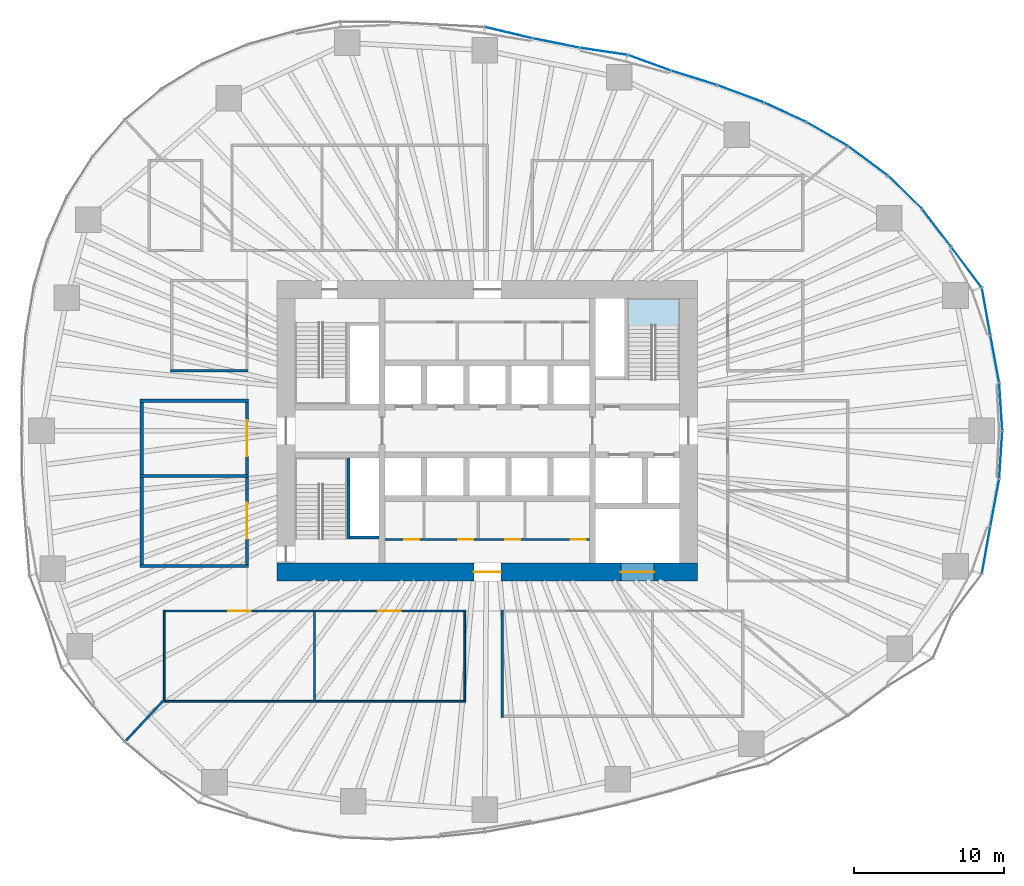
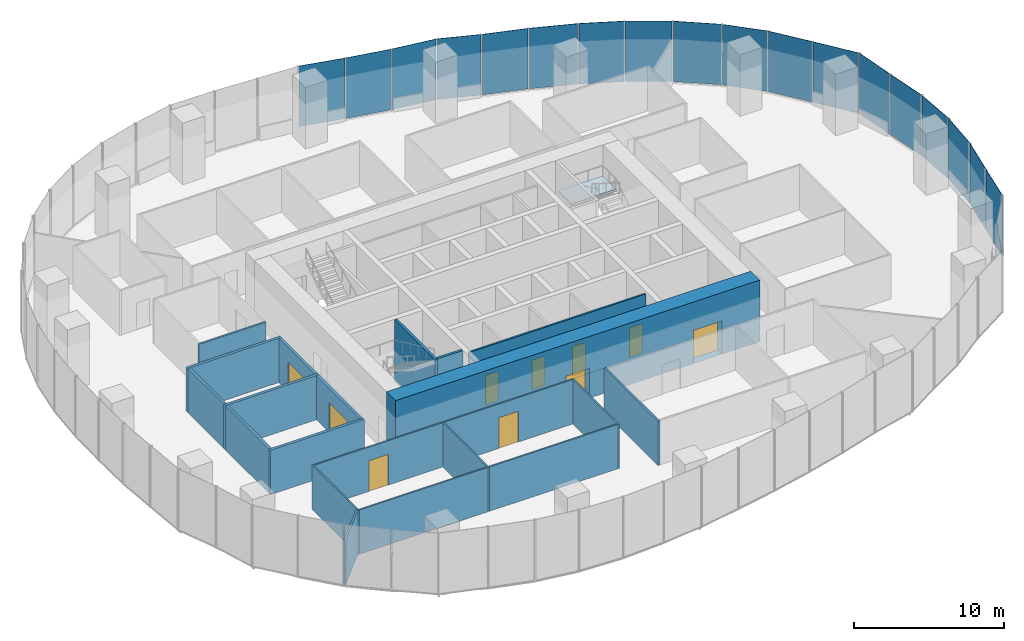
# One storey, part 9 of 20: 21 walls, 18 plates, 10 doors, 1 slab, 10 openings, 7 elements without a shape of their own.
"""IFC4 building model written with IfcOpenShell, lengths in metres."""

from ifc_helpers import new_model, si_unit, direction, frame, frame_2d, origin, origin_2d, place, context, subcontext, project, spatial, polyline, rectangle, outline, extrude, material, layer, layer_set, type_object, element, fill, aggregate, save


model = new_model("IFC4")

# Units and contexts
model_context = context("Model", 3, precision=1e-05, world=origin(), true_north=direction((0.0, 1.0)))
body_context = subcontext(model_context, "Body", "Model", "MODEL_VIEW")
ifc_project = project(units=[si_unit("LENGTHUNIT", "METRE"), si_unit("AREAUNIT", "SQUARE_METRE"), si_unit("VOLUMEUNIT", "CUBIC_METRE"), si_unit("PLANEANGLEUNIT", "RADIAN"), si_unit("MASSUNIT", "GRAM", prefix="KILO")], contexts=[model_context])

# Site, building, storey
site_placement = place(None, origin())
site = spatial("IfcSite", under=ifc_project, at=site_placement, CompositionType="ELEMENT")
building_placement = place(site_placement, origin())
building = spatial("IfcBuilding", under=site, at=building_placement, Name="Ghaith Harvest Tower", CompositionType="ELEMENT")
storey_placement = place(building_placement, frame((0.0, 0.0, 80.0)))
storey = spatial("IfcBuildingStorey", under=building, at=storey_placement, Name="L16", CompositionType="ELEMENT", Elevation=80.0)

# Curtain wall, plates
ifc_material_1 = material(Name="Black anodised aluminium and fritted glass", Category="aluminium")
curtain_wall_type = type_object("IfcCurtainWallType", Name="CW-F CURTAIN WALL", PredefinedType="NOTDEFINED", material=ifc_material_1)
curtain_wall_1_placement = place(storey_placement, origin())
curtain_wall_1 = element("IfcCurtainWall", 1, at=curtain_wall_1_placement, inside=storey, type_object=curtain_wall_type, Name="Curtain wall CW-F bay 01 L16", PredefinedType="NOTDEFINED")
ifc_material_2 = material(Name="Glass, high-transmission fritted double glazed unit", Category="glass")
ifc_layer_1 = layer(ifc_material_2, 0.028076171875)
ifc_layer_set_1 = layer_set([ifc_layer_1], Name="CW-F VISION PANEL")
plate_type = type_object("IfcPlateType", Name="CW-F VISION PANEL", PredefinedType="CURTAIN_PANEL", material=ifc_layer_set_1)
plate_1_placement = place(storey_placement, frame((34.181396484375, 1.602783203125, 0.080078125), z_axis=(0.0, 0.0, 1.0), x_axis=(-0.064445645786, 0.997921218704, 0.0)))
plate_1 = element("IfcPlate", 2, at=plate_1_placement, type_object=plate_type, Name="CW-F panel 1 bay 01 L16", PredefinedType="CURTAIN_PANEL", context=body_context, shape_type="SweptSolid", body=[
    extrude(rectangle(XDim=3.132080078125, YDim=0.028076171875, at=origin_2d()), origin(), (0.0, 0.0, 1.0), 4.919921875),
])
plate_2_placement = place(storey_placement, frame((33.78369140625, 4.78076171875, 0.080078125), z_axis=(0.0, 0.0, 1.0), x_axis=(-0.183569249502, 0.983006780565, 0.0)))
plate_2 = element("IfcPlate", 3, at=plate_2_placement, type_object=plate_type, Name="CW-F panel 2 bay 01 L16", PredefinedType="CURTAIN_PANEL", context=body_context, shape_type="SweptSolid", body=[
    extrude(rectangle(XDim=3.12548828125, YDim=0.028076171875, at=origin_2d()), origin(), (0.0, 0.0, 1.0), 4.919921875),
])
plate_3_placement = place(storey_placement, frame((33.20654296875, 7.93603515625, 0.080078125), z_axis=(0.0, 0.0, 1.0), x_axis=(-0.176319663586, 0.984332960046, 0.0)))
plate_3 = element("IfcPlate", 4, at=plate_3_placement, type_object=plate_type, Name="CW-F panel 3 bay 01 L16", PredefinedType="CURTAIN_PANEL", context=body_context, shape_type="SweptSolid", body=[
    extrude(rectangle(XDim=3.129638671875, YDim=0.028076171875, at=origin_2d()), origin(), (0.0, 0.0, 1.0), 4.919921875),
])
aggregate(curtain_wall_1, [plate_1, plate_2, plate_3])

curtain_wall_2_placement = place(storey_placement, origin())
curtain_wall_2 = element("IfcCurtainWall", 5, at=curtain_wall_2_placement, inside=storey, type_object=curtain_wall_type, Name="Curtain wall CW-F bay 02 L16", PredefinedType="NOTDEFINED")
plate_4_placement = place(storey_placement, frame((31.91015625, 10.865234375, 0.080078125), z_axis=(0.0, 0.0, 1.0), x_axis=(-0.600454091192, 0.799659230154, 0.0)))
plate_4 = element("IfcPlate", 6, at=plate_4_placement, type_object=plate_type, Name="CW-F panel 1 bay 02 L16", PredefinedType="CURTAIN_PANEL", context=body_context, shape_type="SweptSolid", body=[
    extrude(rectangle(XDim=3.295654296875, YDim=0.028076171875, at=origin_2d()), origin(), (0.0, 0.0, 1.0), 4.919921875),
])
plate_5_placement = place(storey_placement, frame((29.921875, 13.4892578125, 0.080078125), z_axis=(0.0, 0.0, 1.0), x_axis=(-0.607611877494, 0.794234100457, 0.0)))
plate_5 = element("IfcPlate", 7, at=plate_5_placement, type_object=plate_type, Name="CW-F panel 2 bay 02 L16", PredefinedType="CURTAIN_PANEL", context=body_context, shape_type="SweptSolid", body=[
    extrude(rectangle(XDim=3.128662109375, YDim=0.028076171875, at=origin_2d()), origin(), (0.0, 0.0, 1.0), 4.919921875),
])
plate_6_placement = place(storey_placement, frame((27.810546875, 15.869384765625, 0.080078125), z_axis=(0.0, 0.0, 1.0), x_axis=(-0.716691335472, 0.69739051446, 0.0)))
plate_6 = element("IfcPlate", 8, at=plate_6_placement, type_object=plate_type, Name="CW-F panel 3 bay 02 L16", PredefinedType="CURTAIN_PANEL", context=body_context, shape_type="SweptSolid", body=[
    extrude(rectangle(XDim=3.092041015625, YDim=0.028076171875, at=origin_2d()), origin(), (0.0, 0.0, 1.0), 4.919921875),
])
aggregate(curtain_wall_2, [plate_4, plate_5, plate_6])

curtain_wall_3_placement = place(storey_placement, origin())
curtain_wall_3 = element("IfcCurtainWall", 9, at=curtain_wall_3_placement, inside=storey, type_object=curtain_wall_type, Name="Curtain wall CW-F bay 03 L16", PredefinedType="NOTDEFINED")
plate_7_placement = place(storey_placement, frame((25.34619140625, 17.96142578125, 0.080078125), z_axis=(0.0, 0.0, 1.0), x_axis=(-0.802866788578, 0.596158468697, 0.0)))
plate_7 = element("IfcPlate", 10, at=plate_7_placement, type_object=plate_type, Name="CW-F panel 1 bay 03 L16", PredefinedType="CURTAIN_PANEL", context=body_context, shape_type="SweptSolid", body=[
    extrude(rectangle(XDim=3.2275390625, YDim=0.028076171875, at=origin_2d()), origin(), (0.0, 0.0, 1.0), 4.919921875),
])
plate_8_placement = place(storey_placement, frame((22.626953125, 19.750244140625, 0.080078125), z_axis=(0.0, 0.0, 1.0), x_axis=(-0.866159208358, 0.499768172033, 0.0)))
plate_8 = element("IfcPlate", 11, at=plate_8_placement, type_object=plate_type, Name="CW-F panel 2 bay 03 L16", PredefinedType="CURTAIN_PANEL", context=body_context, shape_type="SweptSolid", body=[
    extrude(rectangle(XDim=3.1328125, YDim=0.028076171875, at=origin_2d()), origin(), (0.0, 0.0, 1.0), 4.919921875),
])
plate_9_placement = place(storey_placement, frame((19.8291015625, 21.19970703125, 0.080078125), z_axis=(0.0, 0.0, 1.0), x_axis=(-0.908529586897, 0.417820523351, 0.0)))
plate_9 = element("IfcPlate", 12, at=plate_9_placement, type_object=plate_type, Name="CW-F panel 3 bay 03 L16", PredefinedType="CURTAIN_PANEL", context=body_context, shape_type="SweptSolid", body=[
    extrude(rectangle(XDim=3.01611328125, YDim=0.028076171875, at=origin_2d()), origin(), (0.0, 0.0, 1.0), 4.919921875),
])
aggregate(curtain_wall_3, [plate_7, plate_8, plate_9])

curtain_wall_4_placement = place(storey_placement, origin())
curtain_wall_4 = element("IfcCurtainWall", 13, at=curtain_wall_4_placement, inside=storey, type_object=curtain_wall_type, Name="Curtain wall CW-F bay 04 L16", PredefinedType="NOTDEFINED")
plate_10_placement = place(storey_placement, frame((16.85498046875, 22.431396484375, 0.080078125), z_axis=(0.0, 0.0, 1.0), x_axis=(-0.936926487964, 0.349526474178, 0.0)))
plate_10 = element("IfcPlate", 14, at=plate_10_placement, type_object=plate_type, Name="CW-F panel 1 bay 04 L16", PredefinedType="CURTAIN_PANEL", context=body_context, shape_type="SweptSolid", body=[
    extrude(rectangle(XDim=3.26611328125, YDim=0.028076171875, at=origin_2d()), origin(), (0.0, 0.0, 1.0), 4.919921875),
])
plate_11_placement = place(storey_placement, frame((13.760986328125, 23.490234375, 0.080078125), z_axis=(0.0, 0.0, 1.0), x_axis=(-0.954988265421, 0.296643578911, 0.0)))
plate_11 = element("IfcPlate", 15, at=plate_11_placement, type_object=plate_type, Name="CW-F panel 2 bay 04 L16", PredefinedType="CURTAIN_PANEL", context=body_context, shape_type="SweptSolid", body=[
    extrude(rectangle(XDim=3.1171875, YDim=0.028076171875, at=origin_2d()), origin(), (0.0, 0.0, 1.0), 4.919921875),
])
plate_12_placement = place(storey_placement, frame((10.793212890625, 24.490234375, 0.080078125), z_axis=(0.0, 0.0, 1.0), x_axis=(-0.939438435482, 0.342717705902, 0.0)))
plate_12 = element("IfcPlate", 16, at=plate_12_placement, type_object=plate_type, Name="CW-F panel 3 bay 04 L16", PredefinedType="CURTAIN_PANEL", context=body_context, shape_type="SweptSolid", body=[
    extrude(rectangle(XDim=2.98828125, YDim=0.028076171875, at=origin_2d()), origin(), (0.0, 0.0, 1.0), 4.919921875),
])
aggregate(curtain_wall_4, [plate_10, plate_11, plate_12])

curtain_wall_5_placement = place(storey_placement, origin())
curtain_wall_5 = element("IfcCurtainWall", 17, at=curtain_wall_5_placement, inside=storey, type_object=curtain_wall_type, Name="Curtain wall CW-F bay 05 L16", PredefinedType="NOTDEFINED")
plate_13_placement = place(storey_placement, frame((7.744384765625, 25.255615234375, 0.080078125), z_axis=(0.0, 0.0, 1.0), x_axis=(-0.989074249382, 0.147418211935, 0.0)))
plate_13 = element("IfcPlate", 18, at=plate_13_placement, type_object=plate_type, Name="CW-F panel 1 bay 05 L16", PredefinedType="CURTAIN_PANEL", context=body_context, shape_type="SweptSolid", body=[
    extrude(rectangle(XDim=3.17041015625, YDim=0.028076171875, at=origin_2d()), origin(), (0.0, 0.0, 1.0), 4.919921875),
])
plate_14_placement = place(storey_placement, frame((4.5732421875, 25.809326171875, 0.080078125), z_axis=(0.0, 0.0, 1.0), x_axis=(-0.980432348069, 0.196856320344, 0.0)))
plate_14 = element("IfcPlate", 19, at=plate_14_placement, type_object=plate_type, Name="CW-F panel 2 bay 05 L16", PredefinedType="CURTAIN_PANEL", context=body_context, shape_type="SweptSolid", body=[
    extrude(rectangle(XDim=3.1103515625, YDim=0.028076171875, at=origin_2d()), origin(), (0.0, 0.0, 1.0), 4.919921875),
])
plate_15_placement = place(storey_placement, frame((1.41259765625, 26.500244140625, 0.080078125), z_axis=(0.0, 0.0, 1.0), x_axis=(-0.97324595378, 0.229765779545, 0.0)))
plate_15 = element("IfcPlate", 20, at=plate_15_placement, type_object=plate_type, Name="CW-F panel 3 bay 05 L16", PredefinedType="CURTAIN_PANEL", context=body_context, shape_type="SweptSolid", body=[
    extrude(rectangle(XDim=3.200927734375, YDim=0.028076171875, at=origin_2d()), origin(), (0.0, 0.0, 1.0), 4.919921875),
])
aggregate(curtain_wall_5, [plate_13, plate_14, plate_15])

curtain_wall_6_placement = place(storey_placement, origin())
curtain_wall_6 = element("IfcCurtainWall", 21, at=curtain_wall_6_placement, inside=storey, type_object=curtain_wall_type, Name="Curtain wall CW-F bay 20 L16", PredefinedType="NOTDEFINED")
plate_16_placement = place(storey_placement, frame((33.20654296875, -7.93603515625, 0.080078125), z_axis=(0.0, 0.0, 1.0), x_axis=(0.176319663878, 0.984332959994, 0.0)))
plate_16 = element("IfcPlate", 22, at=plate_16_placement, type_object=plate_type, Name="CW-F panel 1 bay 20 L16", PredefinedType="CURTAIN_PANEL", context=body_context, shape_type="SweptSolid", body=[
    extrude(rectangle(XDim=3.129638671875, YDim=0.028076171875, at=origin_2d()), origin(), (0.0, 0.0, 1.0), 4.919921875),
])
plate_17_placement = place(storey_placement, frame((33.78369140625, -4.78076171875, 0.080078125), z_axis=(0.0, 0.0, 1.0), x_axis=(0.183569249777, 0.983006780514, 0.0)))
plate_17 = element("IfcPlate", 23, at=plate_17_placement, type_object=plate_type, Name="CW-F panel 2 bay 20 L16", PredefinedType="CURTAIN_PANEL", context=body_context, shape_type="SweptSolid", body=[
    extrude(rectangle(XDim=3.12548828125, YDim=0.028076171875, at=origin_2d()), origin(), (0.0, 0.0, 1.0), 4.919921875),
])
plate_18_placement = place(storey_placement, frame((34.181396484375, -1.602783203125, 0.080078125), z_axis=(0.0, 0.0, 1.0), x_axis=(0.064445645891, 0.997921218697, 0.0)))
plate_18 = element("IfcPlate", 24, at=plate_18_placement, type_object=plate_type, Name="CW-F panel 3 bay 20 L16", PredefinedType="CURTAIN_PANEL", context=body_context, shape_type="SweptSolid", body=[
    extrude(rectangle(XDim=3.132080078125, YDim=0.028076171875, at=origin_2d()), origin(), (0.0, 0.0, 1.0), 4.919921875),
])
aggregate(curtain_wall_6, [plate_16, plate_17, plate_18])

# Stair, slab
ifc_material_3 = material(Name="Concrete C40/50, precast", Category="concrete")
stair_type = type_object("IfcStairType", Name="CORE STAIR 28R", PredefinedType="HALF_TURN_STAIR", material=ifc_material_3)
stair_placement = place(storey_placement, origin())
stair = element("IfcStair", 25, at=stair_placement, inside=storey, type_object=stair_type, Name="Stair ST2 L16", PredefinedType="HALF_TURN_STAIR")
ifc_material_4 = material(Name="Concrete C40/50, precast", Category="concrete")
ifc_layer_2 = layer(ifc_material_4, 0.179931640625)
ifc_layer_set_2 = layer_set([ifc_layer_2], Name="STAIR LANDING 180")
slab_type = type_object("IfcSlabType", Name="STAIR LANDING 180", PredefinedType="LANDING", material=ifc_layer_set_2)
slab_placement = place(storey_placement, frame((0.0, 0.0, 2.320068359375)))
slab = element("IfcSlab", 26, at=slab_placement, type_object=slab_type, Name="ST2 landing 1", PredefinedType="LANDING", context=body_context, shape_type="SweptSolid", body=[
    extrude(outline(polyline([(12.800048828125, 7.02001953125), (12.800048828125, 8.800048828125), (9.35009765625, 8.800048828125), (9.35009765625, 7.02001953125), (12.800048828125, 7.02001953125)])), origin(), (0.0, 0.0, 1.0), 0.179931640625),
])
aggregate(stair, [slab])

# Walls
ifc_material_5 = material(Name="Concrete blockwork, 1-hour", Category="masonry")
ifc_layer_3 = layer(ifc_material_5, 0.215087890625)
ifc_layer_set_3 = layer_set([ifc_layer_3], Name="BLOCKWORK WALL 215")
wall_type_1 = type_object("IfcWallType", Name="BLOCKWORK WALL 215", PredefinedType="PARTITIONING", material=ifc_layer_set_3)
for number, where, z_axis, x_axis, name in (
    (27, (-15.892578125, -9.0, 0.0), (0.0, 0.0, 1.0), (-1.0, 0.0, 0.0), "Partition L16 row W6 cross wall 1"),
    (28, (-15.892578125, -3.0, 0.0), (0.0, 0.0, 1.0), (-1.0, 0.0, 0.0), "Partition L16 row W6 cross wall 2"),
    (29, (-15.892578125, 2.0, 0.0), (0.0, 0.0, 1.0), (-1.0, 0.0, 0.0), "Partition L16 row W6 cross wall 3"),
):
    element("IfcWall", number, at=place(storey_placement, frame(where, z_axis=z_axis, x_axis=x_axis)), inside=storey, type_object=wall_type_1, Name=name, PredefinedType="PARTITIONING", context=body_context, shape_type="SweptSolid", body=[
        extrude(rectangle(XDim=7.21484375, YDim=0.215087890625, at=frame_2d((3.607421875, 0.0))), origin(), (0.0, 0.0, 1.0), 3.60009765625),
    ])

# Wall, opening, door
wall_1_placement = place(storey_placement, frame((-16.0, -8.892578125, 0.0), z_axis=(0.0, 0.0, 1.0), x_axis=(0.0, 1.0, 0.0)))
wall_1 = element("IfcWall", 30, at=wall_1_placement, inside=storey, type_object=wall_type_1, Name="Partition L16-11", PredefinedType="PARTITIONING", context=body_context, shape_type="SweptSolid", body=[
    extrude(rectangle(XDim=5.78515625, YDim=0.215087890625, at=frame_2d((2.892578125, 0.0))), origin(), (0.0, 0.0, 1.0), 3.60009765625),
])
opening_1_placement = place(wall_1_placement, frame((1.6923828125, 0.0, 0.0)))
opening_1 = element("IfcOpeningElement", 31, at=opening_1_placement, cuts=wall_1, Name="Opening 16-035", PredefinedType="OPENING", context=body_context, shape_type="SweptSolid", body=[
    extrude(rectangle(XDim=2.39990234375, YDim=2.39990234375, at=frame_2d((1.199951171875, 1.199951171875))), frame((0.0, 0.11767578125, 0.0), z_axis=(0.0, -1.0, 0.0), x_axis=(1.0, 0.0, 0.0)), (0.0, 0.0, 1.0), 0.235107421875),
])
ifc_material_6 = material(Name="Timber door", Category="wood")
door_type_1 = type_object("IfcDoorType", Name="D10 PLANT PAIR 2400x2400", OperationType="DOUBLE_DOOR_SINGLE_SWING", PredefinedType="DOOR", material=ifc_material_6)
door_1_placement = place(opening_1_placement, origin())
door_1 = element("IfcDoor", 32, at=door_1_placement, inside=storey, type_object=door_type_1, Name="Nutrient tank room door", OperationType="DOUBLE_DOOR_SINGLE_SWING", OverallHeight=2.39990234375, OverallWidth=2.39990234375, PredefinedType="DOOR", context=body_context, shape_type="SweptSolid", body=[
    extrude(rectangle(XDim=2.39990234375, YDim=2.39990234375, at=frame_2d((1.199951171875, 1.199951171875))), frame((0.0, 0.02490234375, 0.0), z_axis=(0.0, -1.0, 0.0), x_axis=(1.0, 0.0, 0.0)), (0.0, 0.0, 1.0), 0.050048828125),
])
fill(opening_1, door_1)

# Wall
wall_2_placement = place(storey_placement, frame((-23.0, -8.892578125, 0.0), z_axis=(0.0, 0.0, 1.0), x_axis=(0.0, 1.0, 0.0)))
element("IfcWall", 33, at=wall_2_placement, inside=storey, type_object=wall_type_1, Name="Partition L16-11", PredefinedType="PARTITIONING", context=body_context, shape_type="SweptSolid", body=[
    extrude(rectangle(XDim=5.78515625, YDim=0.215087890625, at=frame_2d((2.892578125, 0.0))), origin(), (0.0, 0.0, 1.0), 3.60009765625),
])

# Wall, opening, door
wall_3_placement = place(storey_placement, frame((-16.0, -2.892578125, 0.0), z_axis=(0.0, 0.0, 1.0), x_axis=(0.0, 1.0, 0.0)))
wall_3 = element("IfcWall", 34, at=wall_3_placement, inside=storey, type_object=wall_type_1, Name="Partition L16-12", PredefinedType="PARTITIONING", context=body_context, shape_type="SweptSolid", body=[
    extrude(rectangle(XDim=4.78515625, YDim=0.215087890625, at=frame_2d((2.392578125, 0.0))), origin(), (0.0, 0.0, 1.0), 3.60009765625),
])
opening_2_placement = place(wall_3_placement, frame((1.1923828125, 0.0, 0.0)))
opening_2 = element("IfcOpeningElement", 35, at=opening_2_placement, cuts=wall_3, Name="Opening 16-036", PredefinedType="OPENING", context=body_context, shape_type="SweptSolid", body=[
    extrude(rectangle(XDim=2.39990234375, YDim=2.39990234375, at=frame_2d((1.199951171875, 1.199951171875))), frame((0.0, 0.11767578125, 0.0), z_axis=(0.0, -1.0, 0.0), x_axis=(1.0, 0.0, 0.0)), (0.0, 0.0, 1.0), 0.235107421875),
])
door_2_placement = place(opening_2_placement, origin())
door_2 = element("IfcDoor", 36, at=door_2_placement, inside=storey, type_object=door_type_1, Name="Pump room door", OperationType="DOUBLE_DOOR_SINGLE_SWING", OverallHeight=2.39990234375, OverallWidth=2.39990234375, PredefinedType="DOOR", context=body_context, shape_type="SweptSolid", body=[
    extrude(rectangle(XDim=2.39990234375, YDim=2.39990234375, at=frame_2d((1.199951171875, 1.199951171875))), frame((0.0, 0.02490234375, 0.0), z_axis=(0.0, -1.0, 0.0), x_axis=(1.0, 0.0, 0.0)), (0.0, 0.0, 1.0), 0.050048828125),
])
fill(opening_2, door_2)

# Wall
wall_4_placement = place(storey_placement, frame((-23.0, -2.892578125, 0.0), z_axis=(0.0, 0.0, 1.0), x_axis=(0.0, 1.0, 0.0)))
element("IfcWall", 37, at=wall_4_placement, inside=storey, type_object=wall_type_1, Name="Partition L16-12", PredefinedType="PARTITIONING", context=body_context, shape_type="SweptSolid", body=[
    extrude(rectangle(XDim=4.78515625, YDim=0.215087890625, at=frame_2d((2.392578125, 0.0))), origin(), (0.0, 0.0, 1.0), 3.60009765625),
])

# Wall, openings, doors
ifc_material_7 = material(Name="Concrete blockwork, fair-faced", Category="masonry")
ifc_layer_4 = layer(ifc_material_7, 0.139892578125)
ifc_layer_set_4 = layer_set([ifc_layer_4], Name="CORE PARTITION 140")
wall_type_2 = type_object("IfcWallType", Name="CORE PARTITION 140", PredefinedType="PARTITIONING", material=ifc_layer_set_4)
wall_5_placement = place(storey_placement, frame((-6.800048828125, -7.22998046875, 0.0), z_axis=(0.0, 0.0, 1.0), x_axis=(1.0, 0.0, 0.0)))
wall_5 = element("IfcWall", 38, at=wall_5_placement, inside=storey, type_object=wall_type_2, Name="Core partition L16", PredefinedType="PARTITIONING", context=body_context, shape_type="SweptSolid", body=[
    extrude(rectangle(XDim=13.60009765625, YDim=0.139892578125, at=frame_2d((6.800048828125, 0.0))), origin(), (0.0, 0.0, 1.0), 4.75),
])
opening_3_placement = place(wall_5_placement, frame((1.280029296875, 0.0, 0.0)))
opening_3 = element("IfcOpeningElement", 39, at=opening_3_placement, cuts=wall_5, Name="Opening 16-012", PredefinedType="OPENING", context=body_context, shape_type="SweptSolid", body=[
    extrude(rectangle(XDim=1.0, YDim=2.39990234375, at=frame_2d((0.5, 1.199951171875))), frame((0.0, 0.080078125, 0.0), z_axis=(0.0, -1.0, 0.0), x_axis=(1.0, 0.0, 0.0)), (0.0, 0.0, 1.0), 0.159912109375),
])
opening_4_placement = place(wall_5_placement, frame((4.8798828125, 0.0, 0.0)))
opening_4 = element("IfcOpeningElement", 40, at=opening_4_placement, cuts=wall_5, Name="Opening 16-013", PredefinedType="OPENING", context=body_context, shape_type="SweptSolid", body=[
    extrude(rectangle(XDim=1.0, YDim=2.39990234375, at=frame_2d((0.5, 1.199951171875))), frame((0.0, 0.080078125, 0.0), z_axis=(0.0, -1.0, 0.0), x_axis=(1.0, 0.0, 0.0)), (0.0, 0.0, 1.0), 0.159912109375),
])
opening_5_placement = place(wall_5_placement, frame((7.97998046875, 0.0, 0.0)))
opening_5 = element("IfcOpeningElement", 41, at=opening_5_placement, cuts=wall_5, Name="Opening 16-014", PredefinedType="OPENING", context=body_context, shape_type="SweptSolid", body=[
    extrude(rectangle(XDim=1.0, YDim=2.39990234375, at=frame_2d((0.5, 1.199951171875))), frame((0.0, 0.080078125, 0.0), z_axis=(0.0, -1.0, 0.0), x_axis=(1.0, 0.0, 0.0)), (0.0, 0.0, 1.0), 0.159912109375),
])
opening_6_placement = place(wall_5_placement, frame((12.35009765625, 0.0, 0.0)))
opening_6 = element("IfcOpeningElement", 42, at=opening_6_placement, cuts=wall_5, Name="Opening 16-015", PredefinedType="OPENING", context=body_context, shape_type="SweptSolid", body=[
    extrude(rectangle(XDim=1.0, YDim=2.39990234375, at=frame_2d((0.5, 1.199951171875))), frame((0.0, 0.080078125, 0.0), z_axis=(0.0, -1.0, 0.0), x_axis=(1.0, 0.0, 0.0)), (0.0, 0.0, 1.0), 0.159912109375),
])
ifc_material_8 = material(Name="Steel fire door", Category="steel")
door_type_2 = type_object("IfcDoorType", Name="D3 FD90 1000x2400", OperationType="SINGLE_SWING_LEFT", PredefinedType="DOOR", material=ifc_material_8)
door_3_placement = place(opening_3_placement, origin())
door_3 = element("IfcDoor", 43, at=door_3_placement, inside=storey, type_object=door_type_2, Name="Security room door", OperationType="SINGLE_SWING_LEFT", OverallHeight=2.39990234375, OverallWidth=1.0, PredefinedType="DOOR", context=body_context, shape_type="SweptSolid", body=[
    extrude(rectangle(XDim=1.0, YDim=2.39990234375, at=frame_2d((0.5, 1.199951171875))), frame((0.0, 0.02490234375, 0.0), z_axis=(0.0, -1.0, 0.0), x_axis=(1.0, 0.0, 0.0)), (0.0, 0.0, 1.0), 0.050048828125),
])
fill(opening_3, door_3)
door_4_placement = place(opening_4_placement, origin())
door_4 = element("IfcDoor", 44, at=door_4_placement, inside=storey, type_object=door_type_2, Name="Electrical room door", OperationType="SINGLE_SWING_LEFT", OverallHeight=2.39990234375, OverallWidth=1.0, PredefinedType="DOOR", context=body_context, shape_type="SweptSolid", body=[
    extrude(rectangle(XDim=1.0, YDim=2.39990234375, at=frame_2d((0.5, 1.199951171875))), frame((0.0, 0.02490234375, 0.0), z_axis=(0.0, -1.0, 0.0), x_axis=(1.0, 0.0, 0.0)), (0.0, 0.0, 1.0), 0.050048828125),
])
fill(opening_4, door_4)
door_5_placement = place(opening_5_placement, origin())
door_5 = element("IfcDoor", 45, at=door_5_placement, inside=storey, type_object=door_type_2, Name="Communications equipment room door", OperationType="SINGLE_SWING_RIGHT", OverallHeight=2.39990234375, OverallWidth=1.0, PredefinedType="DOOR", context=body_context, shape_type="SweptSolid", body=[
    extrude(rectangle(XDim=1.0, YDim=2.39990234375, at=frame_2d((0.5, 1.199951171875))), frame((0.0, 0.02490234375, 0.0), z_axis=(0.0, -1.0, 0.0), x_axis=(1.0, 0.0, 0.0)), (0.0, 0.0, 1.0), 0.050048828125),
])
fill(opening_5, door_5)
door_6_placement = place(opening_6_placement, origin())
door_6 = element("IfcDoor", 46, at=door_6_placement, inside=storey, type_object=door_type_2, Name="Riser room door", OperationType="SINGLE_SWING_RIGHT", OverallHeight=2.39990234375, OverallWidth=1.0, PredefinedType="DOOR", context=body_context, shape_type="SweptSolid", body=[
    extrude(rectangle(XDim=1.0, YDim=2.39990234375, at=frame_2d((0.5, 1.199951171875))), frame((0.0, 0.02490234375, 0.0), z_axis=(0.0, -1.0, 0.0), x_axis=(1.0, 0.0, 0.0)), (0.0, 0.0, 1.0), 0.050048828125),
])
fill(opening_6, door_6)

ifc_material_9 = material(Name="Concrete C70/85", Category="concrete")
ifc_layer_5 = layer(ifc_material_9, 1.199951171875)
ifc_layer_set_5 = layer_set([ifc_layer_5], Name="CORE WALL CW1200")
wall_type_3 = type_object("IfcWallType", Name="CORE WALL CW1200", PredefinedType="SHEAR", material=ifc_layer_set_5)
wall_6_placement = place(storey_placement, frame((-14.0, -9.39990234375, 0.0), z_axis=(0.0, 0.0, 1.0), x_axis=(1.0, 0.0, 0.0)))
wall_6 = element("IfcWall", 47, at=wall_6_placement, inside=storey, type_object=wall_type_3, Name="Core wall S L16", PredefinedType="SHEAR", context=body_context, shape_type="SweptSolid", body=[
    extrude(rectangle(XDim=28.0, YDim=1.199951171875, at=frame_2d((14.0, 0.0))), origin(), (0.0, 0.0, 1.0), 5.0),
])
opening_7_placement = place(wall_6_placement, frame((13.10009765625, 0.0, 0.0)))
opening_7 = element("IfcOpeningElement", 48, at=opening_7_placement, cuts=wall_6, Name="Opening 16-017", PredefinedType="OPENING", context=body_context, shape_type="SweptSolid", body=[
    extrude(rectangle(XDim=1.800048828125, YDim=2.39990234375, at=frame_2d((0.89990234375, 1.199951171875))), frame((0.0, 0.60986328125, 0.0), z_axis=(0.0, -1.0, 0.0), x_axis=(1.0, 0.0, 0.0)), (0.0, 0.0, 1.0), 1.219970703125),
])
opening_8_placement = place(wall_6_placement, frame((22.89990234375, 0.0, 0.0)))
opening_8 = element("IfcOpeningElement", 49, at=opening_8_placement, cuts=wall_6, Name="Opening 16-024", PredefinedType="OPENING", context=body_context, shape_type="SweptSolid", body=[
    extrude(rectangle(XDim=2.199951171875, YDim=2.699951171875, at=frame_2d((1.10009765625, 1.35009765625))), frame((0.0, 0.60986328125, 0.0), z_axis=(0.0, -1.0, 0.0), x_axis=(1.0, 0.0, 0.0)), (0.0, 0.0, 1.0), 1.219970703125),
])
ifc_material_10 = material(Name="Steel fire door", Category="steel")
door_type_3 = type_object("IfcDoorType", Name="D4 FD90 PAIR 1800x2400", OperationType="DOUBLE_DOOR_SINGLE_SWING", PredefinedType="DOOR", material=ifc_material_10)
door_7_placement = place(opening_7_placement, origin())
door_7 = element("IfcDoor", 50, at=door_7_placement, inside=storey, type_object=door_type_3, Name="Core service corridor doors", OperationType="DOUBLE_DOOR_SINGLE_SWING", OverallHeight=2.39990234375, OverallWidth=1.800048828125, PredefinedType="DOOR", context=body_context, shape_type="SweptSolid", body=[
    extrude(rectangle(XDim=1.800048828125, YDim=2.39990234375, at=frame_2d((0.89990234375, 1.199951171875))), frame((0.0, 0.02490234375, 0.0), z_axis=(0.0, -1.0, 0.0), x_axis=(1.0, 0.0, 0.0)), (0.0, 0.0, 1.0), 0.050048828125),
])
fill(opening_7, door_7)
ifc_material_11 = material(Name="Steel fire door", Category="steel")
door_type_4 = type_object("IfcDoorType", Name="LD3 LANDING 2200x2700", OperationType="DOUBLE_DOOR_SLIDING", PredefinedType="DOOR", material=ifc_material_11)
door_8_placement = place(opening_8_placement, origin())
door_8 = element("IfcDoor", 51, at=door_8_placement, inside=storey, type_object=door_type_4, Name="Landing door, goods lift GL1", OperationType="DOUBLE_DOOR_SLIDING", OverallHeight=2.699951171875, OverallWidth=2.199951171875, PredefinedType="DOOR", context=body_context, shape_type="SweptSolid", body=[
    extrude(rectangle(XDim=2.199951171875, YDim=2.699951171875, at=frame_2d((1.10009765625, 1.35009765625))), frame((0.0, 0.02490234375, 0.0), z_axis=(0.0, -1.0, 0.0), x_axis=(1.0, 0.0, 0.0)), (0.0, 0.0, 1.0), 0.050048828125),
])
fill(opening_8, door_8)

# Walls
ifc_material_12 = material(Name="Insulated food-grade panel", Category="steel")
ifc_layer_6 = layer(ifc_material_12, 0.1201171875)
ifc_layer_set_6 = layer_set([ifc_layer_6], Name="INSULATED PANEL WALL 120")
wall_type_4 = type_object("IfcWallType", Name="INSULATED PANEL WALL 120", PredefinedType="PARTITIONING", material=ifc_layer_set_6)
for number, where, z_axis, x_axis, name in (
    (52, (-21.5, -11.93994140625, 0.0), (0.0, 0.0, 1.0), (0.0, -1.0, 0.0), "Partition L16 row S1 cross wall 1"),
    (53, (-11.5, -11.93994140625, 0.0), (0.0, 0.0, 1.0), (0.0, -1.0, 0.0), "Partition L16 row S1 cross wall 2"),
    (54, (-1.5, -11.93994140625, 0.0), (0.0, 0.0, 1.0), (0.0, -1.0, 0.0), "Partition L16 row S1 cross wall 3"),
):
    element("IfcWall", number, at=place(storey_placement, frame(where, z_axis=z_axis, x_axis=x_axis)), inside=storey, type_object=wall_type_4, Name=name, PredefinedType="PARTITIONING", context=body_context, shape_type="SweptSolid", body=[
        extrude(rectangle(XDim=6.1201171875, YDim=0.1201171875, at=frame_2d((3.06005859375, 0.0))), origin(), (0.0, 0.0, 1.0), 3.60009765625),
    ])

# Wall, opening, door
wall_7_placement = place(storey_placement, frame((-21.43994140625, -12.0, 0.0), z_axis=(0.0, 0.0, 1.0), x_axis=(1.0, 0.0, 0.0)))
wall_7 = element("IfcWall", 55, at=wall_7_placement, inside=storey, type_object=wall_type_4, Name="Partition L16-01", PredefinedType="PARTITIONING", context=body_context, shape_type="SweptSolid", body=[
    extrude(rectangle(XDim=9.8798828125, YDim=0.1201171875, at=frame_2d((4.93994140625, 0.0))), origin(), (0.0, 0.0, 1.0), 3.60009765625),
])
opening_9_placement = place(wall_7_placement, frame((4.18994140625, 0.0, 0.0)))
opening_9 = element("IfcOpeningElement", 56, at=opening_9_placement, cuts=wall_7, Name="Opening 16-025", PredefinedType="OPENING", context=body_context, shape_type="SweptSolid", body=[
    extrude(rectangle(XDim=1.5, YDim=2.5, at=frame_2d((0.75, 1.25))), frame((0.0, 0.070068359375, 0.0), z_axis=(0.0, -1.0, 0.0), x_axis=(1.0, 0.0, 0.0)), (0.0, 0.0, 1.0), 0.14013671875),
])
ifc_material_13 = material(Name="Insulated steel sliding door", Category="steel")
door_type_5 = type_object("IfcDoorType", Name="D13 COLD STORE SLIDING 1500x2500", OperationType="SLIDING_TO_LEFT", PredefinedType="DOOR", material=ifc_material_13)
door_9_placement = place(opening_9_placement, origin())
door_9 = element("IfcDoor", 57, at=door_9_placement, inside=storey, type_object=door_type_5, Name="Strawberry growing room door", OperationType="SLIDING_TO_LEFT", OverallHeight=2.5, OverallWidth=1.5, PredefinedType="DOOR", context=body_context, shape_type="SweptSolid", body=[
    extrude(rectangle(XDim=1.5, YDim=2.5, at=frame_2d((0.75, 1.25))), frame((0.0, 0.02490234375, 0.0), z_axis=(0.0, -1.0, 0.0), x_axis=(1.0, 0.0, 0.0)), (0.0, 0.0, 1.0), 0.050048828125),
])
fill(opening_9, door_9)

# Wall
wall_8_placement = place(storey_placement, frame((-21.43994140625, -18.0, 0.0), z_axis=(0.0, 0.0, 1.0), x_axis=(1.0, 0.0, 0.0)))
element("IfcWall", 58, at=wall_8_placement, inside=storey, type_object=wall_type_4, Name="Partition L16-01", PredefinedType="PARTITIONING", context=body_context, shape_type="SweptSolid", body=[
    extrude(rectangle(XDim=9.8798828125, YDim=0.1201171875, at=frame_2d((4.93994140625, 0.0))), origin(), (0.0, 0.0, 1.0), 3.60009765625),
])

# Wall, opening, door
wall_9_placement = place(storey_placement, frame((-11.43994140625, -12.0, 0.0), z_axis=(0.0, 0.0, 1.0), x_axis=(1.0, 0.0, 0.0)))
wall_9 = element("IfcWall", 59, at=wall_9_placement, inside=storey, type_object=wall_type_4, Name="Partition L16-02", PredefinedType="PARTITIONING", context=body_context, shape_type="SweptSolid", body=[
    extrude(rectangle(XDim=9.8798828125, YDim=0.1201171875, at=frame_2d((4.93994140625, 0.0))), origin(), (0.0, 0.0, 1.0), 3.60009765625),
])
opening_10_placement = place(wall_9_placement, frame((4.18994140625, 0.0, 0.0)))
opening_10 = element("IfcOpeningElement", 60, at=opening_10_placement, cuts=wall_9, Name="Opening 16-026", PredefinedType="OPENING", context=body_context, shape_type="SweptSolid", body=[
    extrude(rectangle(XDim=1.5, YDim=2.5, at=frame_2d((0.75, 1.25))), frame((0.0, 0.070068359375, 0.0), z_axis=(0.0, -1.0, 0.0), x_axis=(1.0, 0.0, 0.0)), (0.0, 0.0, 1.0), 0.14013671875),
])
door_10_placement = place(opening_10_placement, origin())
door_10 = element("IfcDoor", 61, at=door_10_placement, inside=storey, type_object=door_type_5, Name="Strawberry growing room door", OperationType="SLIDING_TO_LEFT", OverallHeight=2.5, OverallWidth=1.5, PredefinedType="DOOR", context=body_context, shape_type="SweptSolid", body=[
    extrude(rectangle(XDim=1.5, YDim=2.5, at=frame_2d((0.75, 1.25))), frame((0.0, 0.02490234375, 0.0), z_axis=(0.0, -1.0, 0.0), x_axis=(1.0, 0.0, 0.0)), (0.0, 0.0, 1.0), 0.050048828125),
])
fill(opening_10, door_10)

# Walls
wall_10_placement = place(storey_placement, frame((-11.43994140625, -18.0, 0.0), z_axis=(0.0, 0.0, 1.0), x_axis=(1.0, 0.0, 0.0)))
element("IfcWall", 62, at=wall_10_placement, inside=storey, type_object=wall_type_4, Name="Partition L16-02", PredefinedType="PARTITIONING", context=body_context, shape_type="SweptSolid", body=[
    extrude(rectangle(XDim=9.8798828125, YDim=0.1201171875, at=frame_2d((4.93994140625, 0.0))), origin(), (0.0, 0.0, 1.0), 3.60009765625),
])
ifc_material_14 = material(Name="Gypsum board on steel studs", Category="steel")
ifc_layer_7 = layer(ifc_material_14, 0.14990234375)
ifc_layer_set_7 = layer_set([ifc_layer_7], Name="PARTITION 150")
wall_type_5 = type_object("IfcWallType", Name="PARTITION 150", PredefinedType="PARTITIONING", material=ifc_layer_set_7)
wall_11_placement = place(storey_placement, frame((1.0, -11.925048828125, 0.0), z_axis=(0.0, 0.0, 1.0), x_axis=(0.0, -1.0, 0.0)))
element("IfcWall", 63, at=wall_11_placement, inside=storey, type_object=wall_type_5, Name="Partition L16 row S2 cross wall 1", PredefinedType="PARTITIONING", context=body_context, shape_type="SweptSolid", body=[
    extrude(rectangle(XDim=7.14990234375, YDim=0.14990234375, at=frame_2d((3.574951171875, 0.0))), origin(), (0.0, 0.0, 1.0), 3.60009765625),
])
wall_12_placement = place(storey_placement, frame((-15.925048828125, 4.0, 0.0), z_axis=(0.0, 0.0, 1.0), x_axis=(-1.0, 0.0, 0.0)))
element("IfcWall", 64, at=wall_12_placement, inside=storey, type_object=wall_type_5, Name="Partition L16 row W10 cross wall 1", PredefinedType="PARTITIONING", context=body_context, shape_type="SweptSolid", body=[
    extrude(rectangle(XDim=5.14990234375, YDim=0.14990234375, at=frame_2d((2.574951171875, 0.0))), origin(), (0.0, 0.0, 1.0), 3.60009765625),
])
wall_13_placement = place(storey_placement, frame((-21.52001953125, -17.910888671875, 0.0), z_axis=(0.0, 0.0, 1.0), x_axis=(-0.682507100249, -0.730878962694, 0.0)))
element("IfcWall", 65, at=wall_13_placement, inside=storey, type_object=wall_type_5, Name="Partition L16 zone division", PredefinedType="PARTITIONING", context=body_context, shape_type="SweptSolid", body=[
    extrude(rectangle(XDim=3.684326171875, YDim=0.14990234375, at=frame_2d((1.84228515625, 0.0))), origin(), (0.0, 0.0, 1.0), 3.60009765625),
])
ifc_material_15 = material(Name="Concrete C40/50", Category="concrete")
ifc_layer_8 = layer(ifc_material_15, 0.199951171875)
ifc_layer_set_8 = layer_set([ifc_layer_8], Name="STAIR SPINE WALL RC200")
wall_type_6 = type_object("IfcWallType", Name="STAIR SPINE WALL RC200", PredefinedType="SOLIDWALL", material=ifc_layer_set_8)
wall_14_placement = place(storey_placement, frame((-9.25, -7.199951171875, 0.0), z_axis=(0.0, 0.0, 1.0), x_axis=(0.0, 1.0, 0.0)))
element("IfcWall", 66, at=wall_14_placement, inside=storey, type_object=wall_type_6, Name="Stair ST3 spine wall L16", PredefinedType="SOLIDWALL", context=body_context, shape_type="SweptSolid", body=[
    extrude(rectangle(XDim=5.39990234375, YDim=0.199951171875, at=frame_2d((2.699951171875, 0.0))), origin(), (0.0, 0.0, 1.0), 5.0),
])
wall_15_placement = place(storey_placement, frame((-9.14990234375, -7.10009765625, 0.0), z_axis=(0.0, 0.0, 1.0), x_axis=(1.0, 0.0, 0.0)))
element("IfcWall", 67, at=wall_15_placement, inside=storey, type_object=wall_type_6, Name="Stair ST3 spine wall return L16", PredefinedType="SOLIDWALL", context=body_context, shape_type="SweptSolid", body=[
    extrude(rectangle(XDim=1.949951171875, YDim=0.199951171875, at=frame_2d((0.97509765625, 0.0))), origin(), (0.0, 0.0, 1.0), 5.0),
])

save(model, "model.ifc")
